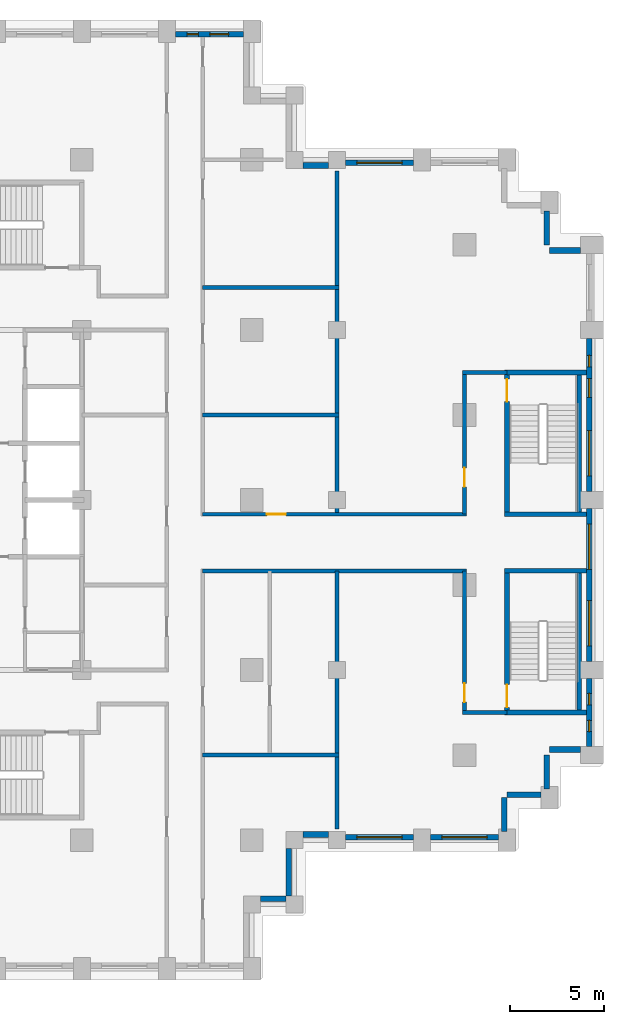
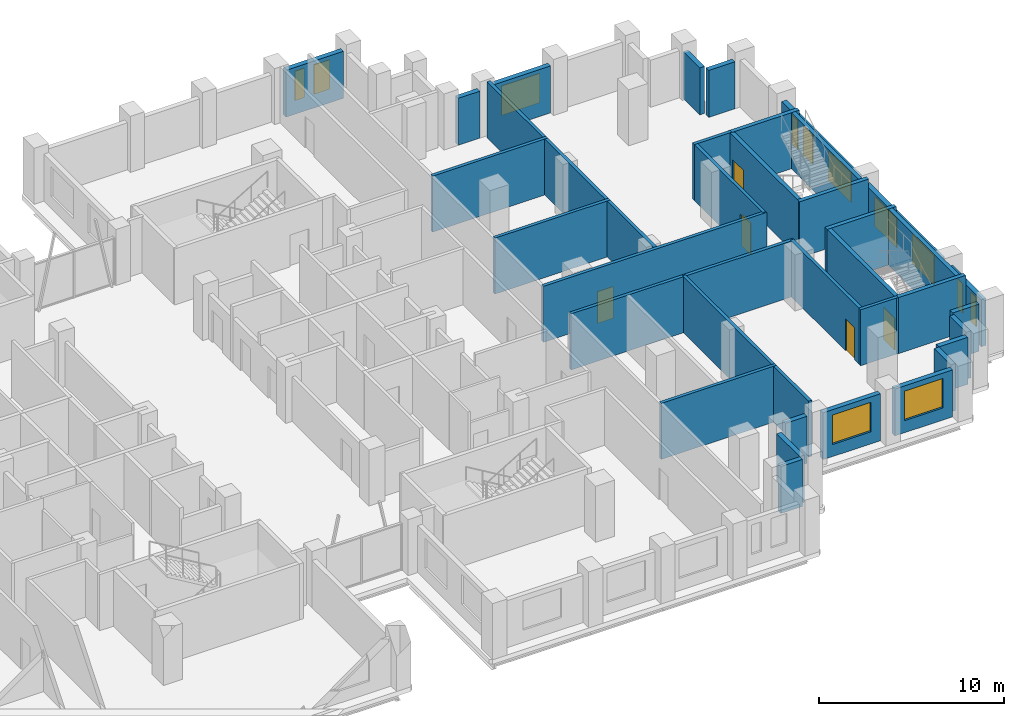
# One storey, part 12 of 16: 36 walls, 12 windows, 5 doors, 17 openings.
"""IFC4 building model written with IfcOpenShell, lengths in metres."""

import ifcopenshell
import ifcopenshell.guid

model = None  # the IFC model being written
_history = None  # IfcOwnerHistory: only IFC2X3 demands one
_inside = {}  # id of a spatial element -> (the spatial element, [elements in it])
_under = {}  # id of a project, library or spatial element -> (it, [spatial elements below it])
_declared = {}  # id of a project -> (the project, [libraries it declares])
_typed = {}  # id of a type object -> (the type object, [elements of that type])
_made_of = {}  # id of a material, layer set ... -> (it, [elements and type objects made of it])


def new_model(schema):
    """Start an empty IFC model of exactly this schema.

    Asked for "IFC4X3", IfcOpenShell would pick the latest addendum, in which some entities
    have other attributes; the version numbers below select the first issue.
    IFC2X3 requires an IfcOwnerHistory on every rooted entity: one is made here for all.
    """
    global model, _history
    if schema == "IFC4X3":
        model = ifcopenshell.file(schema_version=(4, 3, 0, 0))
    else:
        model = ifcopenshell.file(schema=schema)
    _inside.clear()
    _under.clear()
    _declared.clear()
    _typed.clear()
    _made_of.clear()
    _history = None
    if model.schema == "IFC2X3":
        org = make("IfcOrganization", Name="unknown")
        user = make(
            "IfcPersonAndOrganization",
            ThePerson=make("IfcPerson", FamilyName="unknown"),
            TheOrganization=org,
        )
        app = make(
            "IfcApplication",
            ApplicationDeveloper=org,
            Version="unknown",
            ApplicationFullName="unknown",
            ApplicationIdentifier="unknown",
        )
        _history = make(
            "IfcOwnerHistory",
            OwningUser=user,
            OwningApplication=app,
            ChangeAction="ADDED",
            CreationDate=0,
        )
    return model


def make(cls, **values):
    """One entity of the class cls with the attributes given. An attribute that is None is left unset."""
    return model.create_entity(
        cls, **{name: value for name, value in values.items() if value is not None}
    )


def rooted(cls, **values):
    """An entity with a GlobalId (a new one), such as an element, a storey or a relation."""
    return make(cls, GlobalId=ifcopenshell.guid.new(), OwnerHistory=_history, **values)


def si_unit(unit_type, name, prefix=None):
    """IfcSIUnit, for example si_unit("LENGTHUNIT", "METRE", prefix="MILLI")."""
    return make("IfcSIUnit", UnitType=unit_type, Prefix=prefix, Name=name)


def assignment(units):
    """IfcUnitAssignment: the units of a project."""
    return None if units is None else make("IfcUnitAssignment", Units=units)


def point(xyz):
    """IfcCartesianPoint."""
    return None if xyz is None else make("IfcCartesianPoint", Coordinates=xyz)


def direction(xyz):
    """IfcDirection."""
    return None if xyz is None else make("IfcDirection", DirectionRatios=xyz)


def frame(location, z_axis=None, x_axis=None):
    """IfcAxis2Placement3D, a coordinate frame: its origin and axes. An axis left out is left unset."""
    return make(
        "IfcAxis2Placement3D",
        Location=point(location),
        Axis=direction(z_axis),
        RefDirection=direction(x_axis),
    )


def frame_2d(location, x_axis=None):
    """IfcAxis2Placement2D, a coordinate frame in the plane: its origin and x axis."""
    return make(
        "IfcAxis2Placement2D", Location=point(location), RefDirection=direction(x_axis)
    )


def origin():
    """The frame at (0, 0, 0) with its axes left unset."""
    return frame((0.0, 0.0, 0.0))


def place(relative_to, where):
    """IfcLocalPlacement: puts the frame where relative to a parent placement (None: the world)."""
    return make(
        "IfcLocalPlacement", PlacementRelTo=relative_to, RelativePlacement=where
    )


def context(
    kind, dimensions, precision=None, world=None, true_north=None, identifier=None
):
    """IfcGeometricRepresentationContext, for example the 3D "Model" context."""
    return make(
        "IfcGeometricRepresentationContext",
        ContextIdentifier=identifier,
        ContextType=kind,
        CoordinateSpaceDimension=dimensions,
        Precision=precision,
        WorldCoordinateSystem=world,
        TrueNorth=true_north,
    )


def subcontext(parent, identifier, kind, view, scale=None):
    """IfcGeometricRepresentationSubContext, for example "Body" below "Model"."""
    return make(
        "IfcGeometricRepresentationSubContext",
        ContextIdentifier=identifier,
        ContextType=kind,
        ParentContext=parent,
        TargetScale=scale,
        TargetView=view,
    )


def project(units=None, contexts=None):
    """IfcProject with its units and contexts."""
    return rooted(
        "IfcProject",
        Name="project",
        RepresentationContexts=contexts,
        UnitsInContext=assignment(units),
    )


def spatial(cls, under=None, at=None, **own):
    """A site, building, storey or space (cls), placed at a placement, below another one or the project."""
    s = rooted(cls, ObjectPlacement=at, **own)
    if under is not None:
        _under.setdefault(under.id(), (under, []))[1].append(s)
    return s


def profile(cls, at=None, kind="AREA", **sizes):
    """A parametric profile (cls). Its sizes go by their IFC names, for example OverallWidth=200.0."""
    return make(cls, ProfileType=kind, Position=at, **sizes)


def rectangle(**sizes):
    """IfcRectangleProfileDef."""
    return profile("IfcRectangleProfileDef", **sizes)


def extrude(swept, where, along, depth):
    """IfcExtrudedAreaSolid: the profile swept, set in the frame where, extruded along a direction by depth."""
    return make(
        "IfcExtrudedAreaSolid",
        SweptArea=swept,
        Position=where,
        ExtrudedDirection=direction(along),
        Depth=depth,
    )


def shape(context_of_items, identifier, shape_type, items):
    """IfcShapeRepresentation: the items that make up one representation, for example the "Body"."""
    return make(
        "IfcShapeRepresentation",
        ContextOfItems=context_of_items,
        RepresentationIdentifier=identifier,
        RepresentationType=shape_type,
        Items=items,
    )


def material(Name=None, Category=None):
    """IfcMaterial."""
    return make("IfcMaterial", Name=Name, Category=Category)


def layer(
    of_material, thickness, ventilated=None, Name=None, Category=None, Priority=None
):
    """IfcMaterialLayer: one layer of a wall or slab, of a material (None: an air gap)."""
    return make(
        "IfcMaterialLayer",
        Material=of_material,
        LayerThickness=thickness,
        IsVentilated=ventilated,
        Name=Name,
        Category=Category,
        Priority=Priority,
    )


def layer_set(layers, Name=None):
    """IfcMaterialLayerSet."""
    return make("IfcMaterialLayerSet", MaterialLayers=layers, LayerSetName=Name)


def made_of(thing, what):
    """Note that an element or type object is made of a material, layer set ...; save() writes the relation."""
    if what is not None:
        _made_of.setdefault(what.id(), (what, []))[1].append(thing)
    return thing


def type_object(cls, material=None, **own):
    """A type object (cls), such as IfcWallType, which elements share."""
    return made_of(rooted(cls, **own), material)


def element(
    cls,
    number,
    at=None,
    inside=None,
    cuts=None,
    type_object=None,
    material=None,
    context=None,
    identifier="Body",
    shape_type=None,
    held_by="IfcProductDefinitionShape",
    body=None,
    shapes=None,
    **own,
):
    """One element of the class cls, such as IfcWall. Its Tag is "e" and its number.

    at: its placement. inside: the storey or other place that contains it. cuts: it is an
    opening in that element (IfcRelVoidsElement). A single representation is given by context,
    identifier, shape_type and body (its items); several are given by shapes. held_by: the class
    of the entity that holds the representations. save() writes the other relations.
    """
    e = rooted(cls, Tag="e%d" % number, ObjectPlacement=at, **own)
    if body is not None:
        shapes = [shape(context, identifier, shape_type, body)]
    if shapes is not None:
        e.Representation = make(held_by, Representations=shapes)
    if inside is not None:
        _inside.setdefault(inside.id(), (inside, []))[1].append(e)
    if cuts is not None:
        rooted(
            "IfcRelVoidsElement", RelatingBuildingElement=cuts, RelatedOpeningElement=e
        )
    if type_object is not None:
        _typed.setdefault(type_object.id(), (type_object, []))[1].append(e)
    return made_of(e, material)


def fill(opening, filler):
    """IfcRelFillsElement: the door or window that sits in an opening."""
    return rooted(
        "IfcRelFillsElement",
        RelatingOpeningElement=opening,
        RelatedBuildingElement=filler,
    )


def aggregate(whole, parts):
    """IfcRelAggregates: a whole, such as a stair, and the parts it consists of."""
    return rooted("IfcRelAggregates", RelatingObject=whole, RelatedObjects=parts)


def save(model, path):
    """Write the relations noted so far, then the file.

    IfcRelAggregates (storeys below a building ...), IfcRelContainedInSpatialStructure (elements
    in a storey), IfcRelDefinesByType, IfcRelAssociatesMaterial and IfcRelDeclares: one each for
    every whole, place, type object, material and project.
    """
    for whole, parts in _under.values():
        aggregate(whole, parts)
    for where, things in _inside.values():
        rooted(
            "IfcRelContainedInSpatialStructure",
            RelatedElements=things,
            RelatingStructure=where,
        )
    for kind, things in _typed.values():
        rooted("IfcRelDefinesByType", RelatedObjects=things, RelatingType=kind)
    for what, things in _made_of.values():
        rooted("IfcRelAssociatesMaterial", RelatedObjects=things, RelatingMaterial=what)
    for by, libraries in _declared.values():
        rooted("IfcRelDeclares", RelatingContext=by, RelatedDefinitions=libraries)
    model.write(path)


model = new_model("IFC4")

# Units and contexts
model_context = context("Model", 3, precision=1e-05, world=origin(), true_north=direction((0.0, 1.0)))
body_context = subcontext(model_context, "Body", "Model", "MODEL_VIEW")
ifc_project = project(units=[si_unit("LENGTHUNIT", "METRE"), si_unit("AREAUNIT", "SQUARE_METRE"), si_unit("VOLUMEUNIT", "CUBIC_METRE"), si_unit("PLANEANGLEUNIT", "RADIAN"), si_unit("MASSUNIT", "GRAM", prefix="KILO")], contexts=[model_context])

# Site, building, storey
site_placement = place(None, origin())
site = spatial("IfcSite", under=ifc_project, at=site_placement, CompositionType="ELEMENT")
building_placement = place(site_placement, origin())
building = spatial("IfcBuilding", under=site, at=building_placement, Name="Corbelhall Arena Tower", CompositionType="ELEMENT")
storey_placement = place(building_placement, frame((0.0, 0.0, 112.0)))
storey = spatial("IfcBuildingStorey", under=building, at=storey_placement, Name="L20", CompositionType="ELEMENT", Elevation=112.0)

# Walls
ifc_material_1 = material(Name="Precast concrete C40/50 with granite facing", Category="masonry")
ifc_layer_1 = layer(ifc_material_1, 0.300048828125)
ifc_layer_set_1 = layer_set([ifc_layer_1], Name="EV-IW1 Infill panel 300")
wall_type_1 = type_object("IfcWallType", Name="EV-IW1 Infill panel 300", PredefinedType="SOLIDWALL", material=ifc_layer_set_1)
for number, where, z_axis, x_axis, name in (
    (1, (35.85009765625, -17.550048828125, 0.0), (0.0, 0.0, 1.0), (0.0, 1.0, 0.0), "Infill panel IW1"),
    (2, (37.800048828125, -15.60009765625, 0.0), (0.0, 0.0, 1.0), (-1.0, 0.0, 0.0), "Infill panel IW1"),
    (3, (38.10009765625, -15.300048828125, 0.0), (0.0, 0.0, 1.0), (0.0, 1.0, 0.0), "Infill panel IW1"),
):
    element("IfcWall", number, at=place(storey_placement, frame(where, z_axis=z_axis, x_axis=x_axis)), inside=storey, type_object=wall_type_1, Name=name, PredefinedType="SOLIDWALL", context=body_context, shape_type="SweptSolid", body=[
        extrude(rectangle(XDim=1.800048828125, YDim=0.300048828125, at=frame_2d((0.89990234375, 0.0))), origin(), (0.0, 0.0, 1.0), 3.10009765625),
    ])
for number, where, z_axis, x_axis, name in (
    (4, (39.89990234375, -13.199951171875, 0.0), (0.0, 0.0, 1.0), (-1.0, 0.0, 0.0), "Infill panel IW1"),
    (5, (39.89990234375, 13.199951171875, 0.0), (0.0, 0.0, 1.0), (-1.0, 0.0, 0.0), "Infill panel IW1"),
):
    element("IfcWall", number, at=place(storey_placement, frame(where, z_axis=z_axis, x_axis=x_axis)), inside=storey, type_object=wall_type_1, Name=name, PredefinedType="SOLIDWALL", context=body_context, shape_type="SweptSolid", body=[
        extrude(rectangle(XDim=1.64990234375, YDim=0.300048828125, at=frame_2d((0.824951171875, 0.0))), origin(), (0.0, 0.0, 1.0), 3.10009765625),
    ])
wall_1_placement = place(storey_placement, frame((38.10009765625, 15.300048828125, 0.0), z_axis=(0.0, 0.0, 1.0), x_axis=(0.0, -1.0, 0.0)))
element("IfcWall", 6, at=wall_1_placement, inside=storey, type_object=wall_type_1, Name="Infill panel IW1", PredefinedType="SOLIDWALL", context=body_context, shape_type="SweptSolid", body=[
    extrude(rectangle(XDim=1.800048828125, YDim=0.300048828125, at=frame_2d((0.89990234375, 0.0))), origin(), (0.0, 0.0, 1.0), 3.10009765625),
])
wall_2_placement = place(storey_placement, frame((22.949951171875, -21.10009765625, 0.0), z_axis=(0.0, 0.0, 1.0), x_axis=(1.0, 0.0, 0.0)))
element("IfcWall", 7, at=wall_2_placement, inside=storey, type_object=wall_type_1, Name="Infill panel IW1", PredefinedType="SOLIDWALL", context=body_context, shape_type="SweptSolid", body=[
    extrude(rectangle(XDim=1.35009765625, YDim=0.300048828125, at=frame_2d((0.675048828125, 0.0))), origin(), (0.0, 0.0, 1.0), 3.10009765625),
])
wall_3_placement = place(storey_placement, frame((24.449951171875, -20.949951171875, 0.0), z_axis=(0.0, 0.0, 1.0), x_axis=(0.0, 1.0, 0.0)))
element("IfcWall", 8, at=wall_3_placement, inside=storey, type_object=wall_type_1, Name="Infill panel IW1", PredefinedType="SOLIDWALL", context=body_context, shape_type="SweptSolid", body=[
    extrude(rectangle(XDim=2.5, YDim=0.300048828125, at=frame_2d((1.25, 0.0))), origin(), (0.0, 0.0, 1.0), 3.10009765625),
])
wall_4_placement = place(storey_placement, frame((25.199951171875, -17.699951171875, 0.0), z_axis=(0.0, 0.0, 1.0), x_axis=(1.0, 0.0, 0.0)))
element("IfcWall", 9, at=wall_4_placement, inside=storey, type_object=wall_type_1, Name="Infill panel IW1", PredefinedType="SOLIDWALL", context=body_context, shape_type="SweptSolid", body=[
    extrude(rectangle(XDim=1.35009765625, YDim=0.300048828125, at=frame_2d((0.675048828125, 0.0))), origin(), (0.0, 0.0, 1.0), 3.10009765625),
])

# Wall, opening, window
wall_5_placement = place(storey_placement, frame((27.449951171875, -17.85009765625, 0.0), z_axis=(0.0, 0.0, 1.0), x_axis=(1.0, 0.0, 0.0)))
wall_5 = element("IfcWall", 10, at=wall_5_placement, inside=storey, type_object=wall_type_1, Name="Infill panel IW1", PredefinedType="SOLIDWALL", context=body_context, shape_type="SweptSolid", body=[
    extrude(rectangle(XDim=3.60009765625, YDim=0.300048828125, at=frame_2d((1.800048828125, 0.0))), origin(), (0.0, 0.0, 1.0), 3.10009765625),
])
opening_1_placement = place(wall_5_placement, frame((0.60009765625, 0.0, 0.800048828125)))
opening_1 = element("IfcOpeningElement", 11, at=opening_1_placement, cuts=wall_5, Name="Opening WN1", PredefinedType="OPENING", context=body_context, shape_type="SweptSolid", body=[
    extrude(rectangle(XDim=2.39990234375, YDim=1.949951171875, at=frame_2d((1.199951171875, 0.97509765625))), frame((0.0, 0.14990234375, 0.0), z_axis=(0.0, -1.0, 0.0), x_axis=(1.0, 0.0, 0.0)), (0.0, 0.0, 1.0), 0.300048828125),
])
ifc_material_2 = material(Name="Aluminium black anodised", Category="aluminium")
window_type_1 = type_object("IfcWindowType", Name="EV-WN1 Office window", PartitioningType="SINGLE_PANEL", PredefinedType="WINDOW", material=ifc_material_2)
window_1_placement = place(opening_1_placement, origin())
window_1 = element("IfcWindow", 12, at=window_1_placement, inside=storey, type_object=window_type_1, Name="Window WN1", OverallHeight=1.949951171875, OverallWidth=2.39990234375, PartitioningType="SINGLE_PANEL", PredefinedType="WINDOW", context=body_context, shape_type="SweptSolid", body=[
    extrude(rectangle(XDim=2.39990234375, YDim=1.949951171875, at=frame_2d((1.199951171875, 0.97509765625))), frame((0.0, 0.030029296875, 0.0), z_axis=(0.0, -1.0, 0.0), x_axis=(1.0, 0.0, 0.0)), (0.0, 0.0, 1.0), 0.06005859375),
])
fill(opening_1, window_1)

wall_6_placement = place(storey_placement, frame((31.949951171875, -17.85009765625, 0.0), z_axis=(0.0, 0.0, 1.0), x_axis=(1.0, 0.0, 0.0)))
wall_6 = element("IfcWall", 13, at=wall_6_placement, inside=storey, type_object=wall_type_1, Name="Infill panel IW1", PredefinedType="SOLIDWALL", context=body_context, shape_type="SweptSolid", body=[
    extrude(rectangle(XDim=3.60009765625, YDim=0.300048828125, at=frame_2d((1.800048828125, 0.0))), origin(), (0.0, 0.0, 1.0), 3.10009765625),
])
opening_2_placement = place(wall_6_placement, frame((0.60009765625, 0.0, 0.800048828125)))
opening_2 = element("IfcOpeningElement", 14, at=opening_2_placement, cuts=wall_6, Name="Opening WN1", PredefinedType="OPENING", context=body_context, shape_type="SweptSolid", body=[
    extrude(rectangle(XDim=2.39990234375, YDim=1.949951171875, at=frame_2d((1.199951171875, 0.97509765625))), frame((0.0, 0.14990234375, 0.0), z_axis=(0.0, -1.0, 0.0), x_axis=(1.0, 0.0, 0.0)), (0.0, 0.0, 1.0), 0.300048828125),
])
window_2_placement = place(opening_2_placement, origin())
window_2 = element("IfcWindow", 15, at=window_2_placement, inside=storey, type_object=window_type_1, Name="Window WN1", OverallHeight=1.949951171875, OverallWidth=2.39990234375, PartitioningType="SINGLE_PANEL", PredefinedType="WINDOW", context=body_context, shape_type="SweptSolid", body=[
    extrude(rectangle(XDim=2.39990234375, YDim=1.949951171875, at=frame_2d((1.199951171875, 0.97509765625))), frame((0.0, 0.030029296875, 0.0), z_axis=(0.0, -1.0, 0.0), x_axis=(1.0, 0.0, 0.0)), (0.0, 0.0, 1.0), 0.06005859375),
])
fill(opening_2, window_2)

# Wall, openings, windows
wall_7_placement = place(storey_placement, frame((40.35009765625, -13.050048828125, 0.0), z_axis=(0.0, 0.0, 1.0), x_axis=(0.0, 1.0, 0.0)))
wall_7 = element("IfcWall", 16, at=wall_7_placement, inside=storey, type_object=wall_type_1, Name="Infill panel IW1", PredefinedType="SOLIDWALL", context=body_context, shape_type="SweptSolid", body=[
    extrude(rectangle(XDim=3.60009765625, YDim=0.300048828125, at=frame_2d((1.800048828125, 0.0))), origin(), (0.0, 0.0, 1.0), 3.10009765625),
])
opening_3_placement = place(wall_7_placement, frame((0.78759765625, 0.0, 0.800048828125)))
opening_3 = element("IfcOpeningElement", 17, at=opening_3_placement, cuts=wall_7, Name="Opening WN5", PredefinedType="OPENING", context=body_context, shape_type="SweptSolid", body=[
    extrude(rectangle(XDim=0.60009765625, YDim=1.949951171875, at=frame_2d((0.300048828125, 0.97509765625))), frame((0.0, 0.14990234375, 0.0), z_axis=(0.0, -1.0, 0.0), x_axis=(1.0, 0.0, 0.0)), (0.0, 0.0, 1.0), 0.300048828125),
])
opening_4_placement = place(wall_7_placement, frame((2.21240234375, 0.0, 0.800048828125)))
opening_4 = element("IfcOpeningElement", 18, at=opening_4_placement, cuts=wall_7, Name="Opening WN5", PredefinedType="OPENING", context=body_context, shape_type="SweptSolid", body=[
    extrude(rectangle(XDim=0.60009765625, YDim=1.949951171875, at=frame_2d((0.300048828125, 0.97509765625))), frame((0.0, 0.14990234375, 0.0), z_axis=(0.0, -1.0, 0.0), x_axis=(1.0, 0.0, 0.0)), (0.0, 0.0, 1.0), 0.300048828125),
])
window_type_2 = type_object("IfcWindowType", Name="EV-WN5 Office window 600", PartitioningType="SINGLE_PANEL", PredefinedType="WINDOW", material=ifc_material_2)
window_3_placement = place(opening_3_placement, origin())
window_3 = element("IfcWindow", 19, at=window_3_placement, inside=storey, type_object=window_type_2, Name="Window WN5", OverallHeight=1.949951171875, OverallWidth=0.60009765625, PartitioningType="SINGLE_PANEL", PredefinedType="WINDOW", context=body_context, shape_type="SweptSolid", body=[
    extrude(rectangle(XDim=0.60009765625, YDim=1.949951171875, at=frame_2d((0.300048828125, 0.97509765625))), frame((0.0, 0.030029296875, 0.0), z_axis=(0.0, -1.0, 0.0), x_axis=(1.0, 0.0, 0.0)), (0.0, 0.0, 1.0), 0.06005859375),
])
fill(opening_3, window_3)
window_4_placement = place(opening_4_placement, origin())
window_4 = element("IfcWindow", 20, at=window_4_placement, inside=storey, type_object=window_type_2, Name="Window WN5", OverallHeight=1.949951171875, OverallWidth=0.60009765625, PartitioningType="SINGLE_PANEL", PredefinedType="WINDOW", context=body_context, shape_type="SweptSolid", body=[
    extrude(rectangle(XDim=0.60009765625, YDim=1.949951171875, at=frame_2d((0.300048828125, 0.97509765625))), frame((0.0, 0.030029296875, 0.0), z_axis=(0.0, -1.0, 0.0), x_axis=(1.0, 0.0, 0.0)), (0.0, 0.0, 1.0), 0.06005859375),
])
fill(opening_4, window_4)

wall_8_placement = place(storey_placement, frame((40.35009765625, -8.550048828125, 0.0), z_axis=(0.0, 0.0, 1.0), x_axis=(0.0, 1.0, 0.0)))
wall_8 = element("IfcWall", 21, at=wall_8_placement, inside=storey, type_object=wall_type_1, Name="Infill panel IW1", PredefinedType="SOLIDWALL", context=body_context, shape_type="SweptSolid", body=[
    extrude(rectangle(XDim=8.10009765625, YDim=0.300048828125, at=frame_2d((4.050048828125, 0.0))), origin(), (0.0, 0.0, 1.0), 3.10009765625),
])
opening_5_placement = place(wall_8_placement, frame((0.824951171875, 0.0, 0.800048828125)))
opening_5 = element("IfcOpeningElement", 22, at=opening_5_placement, cuts=wall_8, Name="Opening WN1", PredefinedType="OPENING", context=body_context, shape_type="SweptSolid", body=[
    extrude(rectangle(XDim=2.39990234375, YDim=1.949951171875, at=frame_2d((1.199951171875, 0.97509765625))), frame((0.0, 0.14990234375, 0.0), z_axis=(0.0, -1.0, 0.0), x_axis=(1.0, 0.0, 0.0)), (0.0, 0.0, 1.0), 0.300048828125),
])
opening_6_placement = place(wall_8_placement, frame((4.875, 0.0, 0.800048828125)))
opening_6 = element("IfcOpeningElement", 23, at=opening_6_placement, cuts=wall_8, Name="Opening WN1", PredefinedType="OPENING", context=body_context, shape_type="SweptSolid", body=[
    extrude(rectangle(XDim=2.39990234375, YDim=1.949951171875, at=frame_2d((1.199951171875, 0.97509765625))), frame((0.0, 0.14990234375, 0.0), z_axis=(0.0, -1.0, 0.0), x_axis=(1.0, 0.0, 0.0)), (0.0, 0.0, 1.0), 0.300048828125),
])
window_5_placement = place(opening_5_placement, origin())
window_5 = element("IfcWindow", 24, at=window_5_placement, inside=storey, type_object=window_type_1, Name="Window WN1", OverallHeight=1.949951171875, OverallWidth=2.39990234375, PartitioningType="SINGLE_PANEL", PredefinedType="WINDOW", context=body_context, shape_type="SweptSolid", body=[
    extrude(rectangle(XDim=2.39990234375, YDim=1.949951171875, at=frame_2d((1.199951171875, 0.97509765625))), frame((0.0, 0.030029296875, 0.0), z_axis=(0.0, -1.0, 0.0), x_axis=(1.0, 0.0, 0.0)), (0.0, 0.0, 1.0), 0.06005859375),
])
fill(opening_5, window_5)
window_6_placement = place(opening_6_placement, origin())
window_6 = element("IfcWindow", 25, at=window_6_placement, inside=storey, type_object=window_type_1, Name="Window WN1", OverallHeight=1.949951171875, OverallWidth=2.39990234375, PartitioningType="SINGLE_PANEL", PredefinedType="WINDOW", context=body_context, shape_type="SweptSolid", body=[
    extrude(rectangle(XDim=2.39990234375, YDim=1.949951171875, at=frame_2d((1.199951171875, 0.97509765625))), frame((0.0, 0.030029296875, 0.0), z_axis=(0.0, -1.0, 0.0), x_axis=(1.0, 0.0, 0.0)), (0.0, 0.0, 1.0), 0.06005859375),
])
fill(opening_6, window_6)

wall_9_placement = place(storey_placement, frame((40.35009765625, 0.449951171875, 0.0), z_axis=(0.0, 0.0, 1.0), x_axis=(0.0, 1.0, 0.0)))
wall_9 = element("IfcWall", 26, at=wall_9_placement, inside=storey, type_object=wall_type_1, Name="Infill panel IW1", PredefinedType="SOLIDWALL", context=body_context, shape_type="SweptSolid", body=[
    extrude(rectangle(XDim=8.10009765625, YDim=0.300048828125, at=frame_2d((4.050048828125, 0.0))), origin(), (0.0, 0.0, 1.0), 3.10009765625),
])
opening_7_placement = place(wall_9_placement, frame((0.824951171875, 0.0, 0.800048828125)))
opening_7 = element("IfcOpeningElement", 27, at=opening_7_placement, cuts=wall_9, Name="Opening WN1", PredefinedType="OPENING", context=body_context, shape_type="SweptSolid", body=[
    extrude(rectangle(XDim=2.39990234375, YDim=1.949951171875, at=frame_2d((1.199951171875, 0.97509765625))), frame((0.0, 0.14990234375, 0.0), z_axis=(0.0, -1.0, 0.0), x_axis=(1.0, 0.0, 0.0)), (0.0, 0.0, 1.0), 0.300048828125),
])
opening_8_placement = place(wall_9_placement, frame((4.97509765625, 0.0, 0.800048828125)))
opening_8 = element("IfcOpeningElement", 28, at=opening_8_placement, cuts=wall_9, Name="Opening WN6", PredefinedType="OPENING", context=body_context, shape_type="SweptSolid", body=[
    extrude(rectangle(XDim=1.0, YDim=1.949951171875, at=frame_2d((0.5, 0.97509765625))), frame((0.0, 0.14990234375, 0.0), z_axis=(0.0, -1.0, 0.0), x_axis=(1.0, 0.0, 0.0)), (0.0, 0.0, 1.0), 0.300048828125),
])
opening_9_placement = place(wall_9_placement, frame((6.60009765625, 0.0, 0.800048828125)))
opening_9 = element("IfcOpeningElement", 29, at=opening_9_placement, cuts=wall_9, Name="Opening WN5", PredefinedType="OPENING", context=body_context, shape_type="SweptSolid", body=[
    extrude(rectangle(XDim=0.60009765625, YDim=1.949951171875, at=frame_2d((0.300048828125, 0.97509765625))), frame((0.0, 0.14990234375, 0.0), z_axis=(0.0, -1.0, 0.0), x_axis=(1.0, 0.0, 0.0)), (0.0, 0.0, 1.0), 0.300048828125),
])
window_7_placement = place(opening_7_placement, origin())
window_7 = element("IfcWindow", 30, at=window_7_placement, inside=storey, type_object=window_type_1, Name="Window WN1", OverallHeight=1.949951171875, OverallWidth=2.39990234375, PartitioningType="SINGLE_PANEL", PredefinedType="WINDOW", context=body_context, shape_type="SweptSolid", body=[
    extrude(rectangle(XDim=2.39990234375, YDim=1.949951171875, at=frame_2d((1.199951171875, 0.97509765625))), frame((0.0, 0.030029296875, 0.0), z_axis=(0.0, -1.0, 0.0), x_axis=(1.0, 0.0, 0.0)), (0.0, 0.0, 1.0), 0.06005859375),
])
fill(opening_7, window_7)
window_8_placement = place(opening_9_placement, origin())
window_8 = element("IfcWindow", 31, at=window_8_placement, inside=storey, type_object=window_type_2, Name="Window WN5", OverallHeight=1.949951171875, OverallWidth=0.60009765625, PartitioningType="SINGLE_PANEL", PredefinedType="WINDOW", context=body_context, shape_type="SweptSolid", body=[
    extrude(rectangle(XDim=0.60009765625, YDim=1.949951171875, at=frame_2d((0.300048828125, 0.97509765625))), frame((0.0, 0.030029296875, 0.0), z_axis=(0.0, -1.0, 0.0), x_axis=(1.0, 0.0, 0.0)), (0.0, 0.0, 1.0), 0.06005859375),
])
fill(opening_9, window_8)
window_type_3 = type_object("IfcWindowType", Name="EV-WN6 Office window 1000", PartitioningType="SINGLE_PANEL", PredefinedType="WINDOW", material=ifc_material_2)
window_9_placement = place(opening_8_placement, origin())
window_9 = element("IfcWindow", 32, at=window_9_placement, inside=storey, type_object=window_type_3, Name="Window WN6", OverallHeight=1.949951171875, OverallWidth=1.0, PartitioningType="SINGLE_PANEL", PredefinedType="WINDOW", context=body_context, shape_type="SweptSolid", body=[
    extrude(rectangle(XDim=1.0, YDim=1.949951171875, at=frame_2d((0.5, 0.97509765625))), frame((0.0, 0.030029296875, 0.0), z_axis=(0.0, -1.0, 0.0), x_axis=(1.0, 0.0, 0.0)), (0.0, 0.0, 1.0), 0.06005859375),
])
fill(opening_8, window_9)

# Wall, opening, window
wall_10_placement = place(storey_placement, frame((31.050048828125, 17.85009765625, 0.0), z_axis=(0.0, 0.0, 1.0), x_axis=(-1.0, 0.0, 0.0)))
wall_10 = element("IfcWall", 33, at=wall_10_placement, inside=storey, type_object=wall_type_1, Name="Infill panel IW1", PredefinedType="SOLIDWALL", context=body_context, shape_type="SweptSolid", body=[
    extrude(rectangle(XDim=3.60009765625, YDim=0.300048828125, at=frame_2d((1.800048828125, 0.0))), origin(), (0.0, 0.0, 1.0), 3.10009765625),
])
opening_10_placement = place(wall_10_placement, frame((0.60009765625, 0.0, 0.800048828125)))
opening_10 = element("IfcOpeningElement", 34, at=opening_10_placement, cuts=wall_10, Name="Opening WN1", PredefinedType="OPENING", context=body_context, shape_type="SweptSolid", body=[
    extrude(rectangle(XDim=2.39990234375, YDim=1.949951171875, at=frame_2d((1.199951171875, 0.97509765625))), frame((0.0, 0.14990234375, 0.0), z_axis=(0.0, -1.0, 0.0), x_axis=(1.0, 0.0, 0.0)), (0.0, 0.0, 1.0), 0.300048828125),
])
window_10_placement = place(opening_10_placement, origin())
window_10 = element("IfcWindow", 35, at=window_10_placement, inside=storey, type_object=window_type_1, Name="Window WN1", OverallHeight=1.949951171875, OverallWidth=2.39990234375, PartitioningType="SINGLE_PANEL", PredefinedType="WINDOW", context=body_context, shape_type="SweptSolid", body=[
    extrude(rectangle(XDim=2.39990234375, YDim=1.949951171875, at=frame_2d((1.199951171875, 0.97509765625))), frame((0.0, 0.030029296875, 0.0), z_axis=(0.0, -1.0, 0.0), x_axis=(1.0, 0.0, 0.0)), (0.0, 0.0, 1.0), 0.06005859375),
])
fill(opening_10, window_10)

# Wall
wall_11_placement = place(storey_placement, frame((26.550048828125, 17.699951171875, 0.0), z_axis=(0.0, 0.0, 1.0), x_axis=(-1.0, 0.0, 0.0)))
element("IfcWall", 36, at=wall_11_placement, inside=storey, type_object=wall_type_1, Name="Infill panel IW1", PredefinedType="SOLIDWALL", context=body_context, shape_type="SweptSolid", body=[
    extrude(rectangle(XDim=1.35009765625, YDim=0.300048828125, at=frame_2d((0.675048828125, 0.0))), origin(), (0.0, 0.0, 1.0), 3.10009765625),
])

# Wall, openings, windows
wall_12_placement = place(storey_placement, frame((22.050048828125, 24.64990234375, 0.0), z_axis=(0.0, 0.0, 1.0), x_axis=(-1.0, 0.0, 0.0)))
wall_12 = element("IfcWall", 37, at=wall_12_placement, inside=storey, type_object=wall_type_1, Name="Infill panel IW1", PredefinedType="SOLIDWALL", context=body_context, shape_type="SweptSolid", body=[
    extrude(rectangle(XDim=3.60009765625, YDim=0.300048828125, at=frame_2d((1.800048828125, 0.0))), origin(), (0.0, 0.0, 1.0), 3.10009765625),
])
opening_11_placement = place(wall_12_placement, frame((0.77490234375, 0.0, 0.800048828125)))
opening_11 = element("IfcOpeningElement", 38, at=opening_11_placement, cuts=wall_12, Name="Opening WN6", PredefinedType="OPENING", context=body_context, shape_type="SweptSolid", body=[
    extrude(rectangle(XDim=1.0, YDim=1.949951171875, at=frame_2d((0.5, 0.97509765625))), frame((0.0, 0.14990234375, 0.0), z_axis=(0.0, -1.0, 0.0), x_axis=(1.0, 0.0, 0.0)), (0.0, 0.0, 1.0), 0.300048828125),
])
opening_12_placement = place(wall_12_placement, frame((2.375, 0.0, 0.800048828125)))
opening_12 = element("IfcOpeningElement", 39, at=opening_12_placement, cuts=wall_12, Name="Opening WN5", PredefinedType="OPENING", context=body_context, shape_type="SweptSolid", body=[
    extrude(rectangle(XDim=0.60009765625, YDim=1.949951171875, at=frame_2d((0.300048828125, 0.97509765625))), frame((0.0, 0.14990234375, 0.0), z_axis=(0.0, -1.0, 0.0), x_axis=(1.0, 0.0, 0.0)), (0.0, 0.0, 1.0), 0.300048828125),
])
window_11_placement = place(opening_12_placement, origin())
window_11 = element("IfcWindow", 40, at=window_11_placement, inside=storey, type_object=window_type_2, Name="Window WN5", OverallHeight=1.949951171875, OverallWidth=0.60009765625, PartitioningType="SINGLE_PANEL", PredefinedType="WINDOW", context=body_context, shape_type="SweptSolid", body=[
    extrude(rectangle(XDim=0.60009765625, YDim=1.949951171875, at=frame_2d((0.300048828125, 0.97509765625))), frame((0.0, 0.030029296875, 0.0), z_axis=(0.0, -1.0, 0.0), x_axis=(1.0, 0.0, 0.0)), (0.0, 0.0, 1.0), 0.06005859375),
])
fill(opening_12, window_11)
window_12_placement = place(opening_11_placement, origin())
window_12 = element("IfcWindow", 41, at=window_12_placement, inside=storey, type_object=window_type_3, Name="Window WN6", OverallHeight=1.949951171875, OverallWidth=1.0, PartitioningType="SINGLE_PANEL", PredefinedType="WINDOW", context=body_context, shape_type="SweptSolid", body=[
    extrude(rectangle(XDim=1.0, YDim=1.949951171875, at=frame_2d((0.5, 0.97509765625))), frame((0.0, 0.030029296875, 0.0), z_axis=(0.0, -1.0, 0.0), x_axis=(1.0, 0.0, 0.0)), (0.0, 0.0, 1.0), 0.06005859375),
])
fill(opening_11, window_12)

# Wall
ifc_material_3 = material(Name="Gypsum board on steel stud, acoustic", Category="steel")
ifc_layer_2 = layer(ifc_material_3, 0.199951171875)
ifc_layer_set_2 = layer_set([ifc_layer_2], Name="IN-W-DM200")
wall_type_2 = type_object("IfcWallType", Name="IN-W-DM200", PredefinedType="PARTITIONING", material=ifc_layer_set_2)
wall_13_placement = place(storey_placement, frame((19.89990234375, -13.5, 0.0), z_axis=(0.0, 0.0, 1.0), x_axis=(1.0, 0.0, 0.0)))
element("IfcWall", 42, at=wall_13_placement, inside=storey, type_object=wall_type_2, Name="Partition 049", PredefinedType="PARTITIONING", context=body_context, shape_type="SweptSolid", body=[
    extrude(rectangle(XDim=7.2001953125, YDim=0.199951171875, at=frame_2d((3.60009765625, 0.0))), origin(), (0.0, 0.0, 1.0), 3.699951171875),
])

# Wall, opening, door
wall_14_placement = place(storey_placement, frame((19.89990234375, -0.75, 0.0), z_axis=(0.0, 0.0, 1.0), x_axis=(1.0, 0.0, 0.0)))
wall_14 = element("IfcWall", 43, at=wall_14_placement, inside=storey, type_object=wall_type_2, Name="Partition 051", PredefinedType="PARTITIONING", context=body_context, shape_type="SweptSolid", body=[
    extrude(rectangle(XDim=13.9501953125, YDim=0.199951171875, at=frame_2d((6.97509765625, 0.0))), origin(), (0.0, 0.0, 1.0), 3.699951171875),
])
opening_13_placement = place(wall_14_placement, frame((3.39990234375, 0.0, 0.0)))
opening_13 = element("IfcOpeningElement", 44, at=opening_13_placement, cuts=wall_14, Name="Opening 05038", PredefinedType="OPENING", context=body_context, shape_type="SweptSolid", body=[
    extrude(rectangle(XDim=1.0, YDim=2.10009765625, at=frame_2d((0.5, 1.050048828125))), frame((0.0, 0.10009765625, 0.0), z_axis=(0.0, -1.0, 0.0), x_axis=(1.0, 0.0, 0.0)), (0.0, 0.0, 1.0), 0.199951171875),
])
ifc_material_4 = material(Name="Steel door set", Category="steel")
door_type_1 = type_object("IfcDoorType", Name="IN-D-SW100", OperationType="NOTDEFINED", PredefinedType="DOOR", material=ifc_material_4)
door_1_placement = place(opening_13_placement, origin())
door_1 = element("IfcDoor", 45, at=door_1_placement, inside=storey, type_object=door_type_1, Name="Door 038", OperationType="SINGLE_SWING_LEFT", OverallHeight=2.10009765625, OverallWidth=1.0, PredefinedType="DOOR", context=body_context, shape_type="SweptSolid", body=[
    extrude(rectangle(XDim=1.0, YDim=2.10009765625, at=frame_2d((0.5, 1.050048828125))), frame((0.0, 0.02490234375, 0.0), z_axis=(0.0, -1.0, 0.0), x_axis=(1.0, 0.0, 0.0)), (0.0, 0.0, 1.0), 0.050048828125),
])
fill(opening_13, door_1)

# Walls
for number, where, z_axis, x_axis, name in (
    (46, (19.89990234375, 4.5, 0.0), (0.0, 0.0, 1.0), (1.0, 0.0, 0.0), "Partition 052"),
    (47, (19.89990234375, 11.25, 0.0), (0.0, 0.0, 1.0), (1.0, 0.0, 0.0), "Partition 054"),
):
    element("IfcWall", number, at=place(storey_placement, frame(where, z_axis=z_axis, x_axis=x_axis)), inside=storey, type_object=wall_type_2, Name=name, PredefinedType="PARTITIONING", context=body_context, shape_type="SweptSolid", body=[
        extrude(rectangle(XDim=7.2001953125, YDim=0.199951171875, at=frame_2d((3.60009765625, 0.0))), origin(), (0.0, 0.0, 1.0), 3.699951171875),
    ])
wall_15_placement = place(storey_placement, frame((33.85009765625, -3.75, 0.0), z_axis=(0.0, 0.0, 1.0), x_axis=(-1.0, 0.0, 0.0)))
element("IfcWall", 48, at=wall_15_placement, inside=storey, type_object=wall_type_2, Name="Partition 057", PredefinedType="PARTITIONING", context=body_context, shape_type="SweptSolid", body=[
    extrude(rectangle(XDim=13.9501953125, YDim=0.199951171875, at=frame_2d((6.97509765625, 0.0))), origin(), (0.0, 0.0, 1.0), 3.699951171875),
])
wall_16_placement = place(storey_placement, frame((27.0, -3.75, 0.0), z_axis=(0.0, 0.0, 1.0), x_axis=(0.0, -1.0, 0.0)))
element("IfcWall", 49, at=wall_16_placement, inside=storey, type_object=wall_type_2, Name="Partition 058", PredefinedType="PARTITIONING", context=body_context, shape_type="SweptSolid", body=[
    extrude(rectangle(XDim=13.64990234375, YDim=0.199951171875, at=frame_2d((6.824951171875, 0.0))), origin(), (0.0, 0.0, 1.0), 3.699951171875),
])
wall_17_placement = place(storey_placement, frame((27.0, 17.39990234375, 0.0), z_axis=(0.0, 0.0, 1.0), x_axis=(0.0, -1.0, 0.0)))
element("IfcWall", 50, at=wall_17_placement, inside=storey, type_object=wall_type_2, Name="Partition 059", PredefinedType="PARTITIONING", context=body_context, shape_type="SweptSolid", body=[
    extrude(rectangle(XDim=18.14990234375, YDim=0.199951171875, at=frame_2d((9.074951171875, 0.0))), origin(), (0.0, 0.0, 1.0), 3.699951171875),
])
wall_18_placement = place(storey_placement, frame((33.64990234375, 6.75, 0.0), z_axis=(0.0, 0.0, 1.0), x_axis=(1.0, 0.0, 0.0)))
element("IfcWall", 51, at=wall_18_placement, inside=storey, type_object=wall_type_2, Name="Partition 060", PredefinedType="PARTITIONING", context=body_context, shape_type="SweptSolid", body=[
    extrude(rectangle(XDim=2.35009765625, YDim=0.199951171875, at=frame_2d((1.175048828125, 0.0))), origin(), (0.0, 0.0, 1.0), 3.699951171875),
])

# Wall, opening, door
wall_19_placement = place(storey_placement, frame((33.75, -11.25, 0.0), z_axis=(0.0, 0.0, 1.0), x_axis=(0.0, 1.0, 0.0)))
wall_19 = element("IfcWall", 52, at=wall_19_placement, inside=storey, type_object=wall_type_2, Name="Partition 061", PredefinedType="PARTITIONING", context=body_context, shape_type="SweptSolid", body=[
    extrude(rectangle(XDim=7.5, YDim=0.199951171875, at=frame_2d((3.75, 0.0))), origin(), (0.0, 0.0, 1.0), 3.699951171875),
])
opening_14_placement = place(wall_19_placement, frame((0.550048828125, 0.0, 0.0)))
opening_14 = element("IfcOpeningElement", 53, at=opening_14_placement, cuts=wall_19, Name="Opening 05048", PredefinedType="OPENING", context=body_context, shape_type="SweptSolid", body=[
    extrude(rectangle(XDim=1.0, YDim=2.10009765625, at=frame_2d((0.5, 1.050048828125))), frame((0.0, 0.10009765625, 0.0), z_axis=(0.0, -1.0, 0.0), x_axis=(1.0, 0.0, 0.0)), (0.0, 0.0, 1.0), 0.199951171875),
])
door_2_placement = place(opening_14_placement, origin())
door_2 = element("IfcDoor", 54, at=door_2_placement, inside=storey, type_object=door_type_1, Name="Door 048", OperationType="SINGLE_SWING_LEFT", OverallHeight=2.10009765625, OverallWidth=1.0, PredefinedType="DOOR", context=body_context, shape_type="SweptSolid", body=[
    extrude(rectangle(XDim=1.0, YDim=2.10009765625, at=frame_2d((0.5, 1.050048828125))), frame((0.0, 0.02490234375, 0.0), z_axis=(0.0, -1.0, 0.0), x_axis=(1.0, 0.0, 0.0)), (0.0, 0.0, 1.0), 0.050048828125),
])
fill(opening_14, door_2)

wall_20_placement = place(storey_placement, frame((33.75, -0.75, 0.0), z_axis=(0.0, 0.0, 1.0), x_axis=(0.0, 1.0, 0.0)))
wall_20 = element("IfcWall", 55, at=wall_20_placement, inside=storey, type_object=wall_type_2, Name="Partition 062", PredefinedType="PARTITIONING", context=body_context, shape_type="SweptSolid", body=[
    extrude(rectangle(XDim=7.5, YDim=0.199951171875, at=frame_2d((3.75, 0.0))), origin(), (0.0, 0.0, 1.0), 3.699951171875),
])
opening_15_placement = place(wall_20_placement, frame((1.449951171875, 0.0, 0.0)))
opening_15 = element("IfcOpeningElement", 56, at=opening_15_placement, cuts=wall_20, Name="Opening 05047", PredefinedType="OPENING", context=body_context, shape_type="SweptSolid", body=[
    extrude(rectangle(XDim=1.0, YDim=2.10009765625, at=frame_2d((0.5, 1.050048828125))), frame((0.0, 0.10009765625, 0.0), z_axis=(0.0, -1.0, 0.0), x_axis=(1.0, 0.0, 0.0)), (0.0, 0.0, 1.0), 0.199951171875),
])
door_3_placement = place(opening_15_placement, origin())
door_3 = element("IfcDoor", 57, at=door_3_placement, inside=storey, type_object=door_type_1, Name="Door 047", OperationType="SINGLE_SWING_RIGHT", OverallHeight=2.10009765625, OverallWidth=1.0, PredefinedType="DOOR", context=body_context, shape_type="SweptSolid", body=[
    extrude(rectangle(XDim=1.0, YDim=2.10009765625, at=frame_2d((0.5, 1.050048828125))), frame((0.0, 0.02490234375, 0.0), z_axis=(0.0, -1.0, 0.0), x_axis=(1.0, 0.0, 0.0)), (0.0, 0.0, 1.0), 0.050048828125),
])
fill(opening_15, door_3)

# Walls
wall_21_placement = place(storey_placement, frame((36.0, -11.25, 0.0), z_axis=(0.0, 0.0, 1.0), x_axis=(-1.0, 0.0, 0.0)))
element("IfcWall", 58, at=wall_21_placement, inside=storey, type_object=wall_type_2, Name="Partition 063", PredefinedType="PARTITIONING", context=body_context, shape_type="SweptSolid", body=[
    extrude(rectangle(XDim=2.35009765625, YDim=0.199951171875, at=frame_2d((1.175048828125, 0.0))), origin(), (0.0, 0.0, 1.0), 3.699951171875),
])
ifc_material_5 = material(Name="Concrete C40/50", Category="concrete")
ifc_layer_3 = layer(ifc_material_5, 0.25)
ifc_layer_set_3 = layer_set([ifc_layer_3], Name="IN-W-ST250")
wall_type_3 = type_object("IfcWallType", Name="IN-W-ST250", PredefinedType="SOLIDWALL", material=ifc_layer_set_3)
wall_22_placement = place(storey_placement, frame((35.875, -0.75, 0.0), z_axis=(0.0, 0.0, 1.0), x_axis=(1.0, 0.0, 0.0)))
element("IfcWall", 59, at=wall_22_placement, inside=storey, type_object=wall_type_3, Name="Shaft wall 123", PredefinedType="SOLIDWALL", context=body_context, shape_type="SweptSolid", body=[
    extrude(rectangle(XDim=4.324951171875, YDim=0.25, at=frame_2d((2.16259765625, 0.0))), origin(), (0.0, 0.0, 1.0), 3.699951171875),
])

# Wall, opening, door
wall_23_placement = place(storey_placement, frame((36.0, -11.375, 0.0), z_axis=(0.0, 0.0, 1.0), x_axis=(0.0, 1.0, 0.0)))
wall_23 = element("IfcWall", 60, at=wall_23_placement, inside=storey, type_object=wall_type_3, Name="Shaft wall 124", PredefinedType="SOLIDWALL", context=body_context, shape_type="SweptSolid", body=[
    extrude(rectangle(XDim=7.625, YDim=0.25, at=frame_2d((3.8125, 0.0))), origin(), (0.0, 0.0, 1.0), 3.699951171875),
])
opening_16_placement = place(wall_23_placement, frame((0.39990234375, 0.0, 0.0)))
opening_16 = element("IfcOpeningElement", 61, at=opening_16_placement, cuts=wall_23, Name="Opening 05020", PredefinedType="OPENING", context=body_context, shape_type="SweptSolid", body=[
    extrude(rectangle(XDim=1.199951171875, YDim=2.10009765625, at=frame_2d((0.60009765625, 1.050048828125))), frame((0.0, 0.125, 0.0), z_axis=(0.0, -1.0, 0.0), x_axis=(1.0, 0.0, 0.0)), (0.0, 0.0, 1.0), 0.25),
])
door_type_2 = type_object("IfcDoorType", Name="IN-D-ST120", OperationType="NOTDEFINED", PredefinedType="DOOR", material=ifc_material_4)
door_4_placement = place(opening_16_placement, origin())
door_4 = element("IfcDoor", 62, at=door_4_placement, inside=storey, type_object=door_type_2, Name="Door 020", OperationType="SINGLE_SWING_LEFT", OverallHeight=2.10009765625, OverallWidth=1.199951171875, PredefinedType="DOOR", context=body_context, shape_type="SweptSolid", body=[
    extrude(rectangle(XDim=1.199951171875, YDim=2.10009765625, at=frame_2d((0.60009765625, 1.050048828125))), frame((0.0, 0.02490234375, 0.0), z_axis=(0.0, -1.0, 0.0), x_axis=(1.0, 0.0, 0.0)), (0.0, 0.0, 1.0), 0.050048828125),
])
fill(opening_16, door_4)

wall_24_placement = place(storey_placement, frame((36.0, -0.75, 0.0), z_axis=(0.0, 0.0, 1.0), x_axis=(0.0, 1.0, 0.0)))
wall_24 = element("IfcWall", 63, at=wall_24_placement, inside=storey, type_object=wall_type_3, Name="Shaft wall 125", PredefinedType="SOLIDWALL", context=body_context, shape_type="SweptSolid", body=[
    extrude(rectangle(XDim=7.625, YDim=0.25, at=frame_2d((3.8125, 0.0))), origin(), (0.0, 0.0, 1.0), 3.699951171875),
])
opening_17_placement = place(wall_24_placement, frame((5.949951171875, 0.0, 0.0)))
opening_17 = element("IfcOpeningElement", 64, at=opening_17_placement, cuts=wall_24, Name="Opening 05021", PredefinedType="OPENING", context=body_context, shape_type="SweptSolid", body=[
    extrude(rectangle(XDim=1.199951171875, YDim=2.10009765625, at=frame_2d((0.60009765625, 1.050048828125))), frame((0.0, 0.125, 0.0), z_axis=(0.0, -1.0, 0.0), x_axis=(1.0, 0.0, 0.0)), (0.0, 0.0, 1.0), 0.25),
])
door_5_placement = place(opening_17_placement, origin())
door_5 = element("IfcDoor", 65, at=door_5_placement, inside=storey, type_object=door_type_2, Name="Door 021", OperationType="SINGLE_SWING_RIGHT", OverallHeight=2.10009765625, OverallWidth=1.199951171875, PredefinedType="DOOR", context=body_context, shape_type="SweptSolid", body=[
    extrude(rectangle(XDim=1.199951171875, YDim=2.10009765625, at=frame_2d((0.60009765625, 1.050048828125))), frame((0.0, 0.02490234375, 0.0), z_axis=(0.0, -1.0, 0.0), x_axis=(1.0, 0.0, 0.0)), (0.0, 0.0, 1.0), 0.050048828125),
])
fill(opening_17, door_5)

# Walls
for number, where, z_axis, x_axis, name in (
    (66, (36.0, 6.75, 0.0), (0.0, 0.0, 1.0), (1.0, 0.0, 0.0), "Shaft wall 126"),
    (67, (40.199951171875, -11.25, 0.0), (0.0, 0.0, 1.0), (-1.0, 0.0, 0.0), "Shaft wall 127"),
):
    element("IfcWall", number, at=place(storey_placement, frame(where, z_axis=z_axis, x_axis=x_axis)), inside=storey, type_object=wall_type_3, Name=name, PredefinedType="SOLIDWALL", context=body_context, shape_type="SweptSolid", body=[
        extrude(rectangle(XDim=4.199951171875, YDim=0.25, at=frame_2d((2.10009765625, 0.0))), origin(), (0.0, 0.0, 1.0), 3.699951171875),
    ])
wall_25_placement = place(storey_placement, frame((40.199951171875, -3.75, 0.0), z_axis=(0.0, 0.0, 1.0), x_axis=(-1.0, 0.0, 0.0)))
element("IfcWall", 68, at=wall_25_placement, inside=storey, type_object=wall_type_3, Name="Shaft wall 128", PredefinedType="SOLIDWALL", context=body_context, shape_type="SweptSolid", body=[
    extrude(rectangle(XDim=4.324951171875, YDim=0.25, at=frame_2d((2.16259765625, 0.0))), origin(), (0.0, 0.0, 1.0), 3.699951171875),
])
for number, where, z_axis, x_axis, name in (
    (69, (39.824951171875, -11.125, 0.0), (0.0, 0.0, 1.0), (0.0, 1.0, 0.0), "Shaft wall SD1 facade side"),
    (70, (39.824951171875, -0.625, 0.0), (0.0, 0.0, 1.0), (0.0, 1.0, 0.0), "Shaft wall SD2 facade side"),
):
    element("IfcWall", number, at=place(storey_placement, frame(where, z_axis=z_axis, x_axis=x_axis)), inside=storey, type_object=wall_type_3, Name=name, PredefinedType="SOLIDWALL", context=body_context, shape_type="SweptSolid", body=[
        extrude(rectangle(XDim=7.25, YDim=0.25, at=frame_2d((3.625, 0.0))), origin(), (0.0, 0.0, 1.0), 3.699951171875),
    ])

save(model, "model.ifc")
